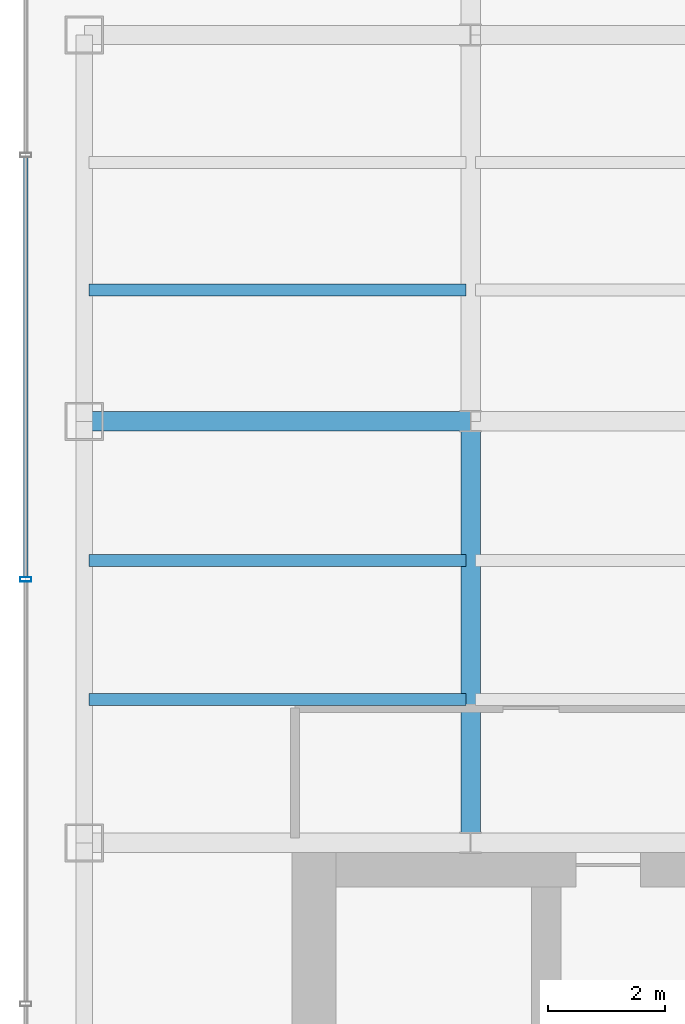
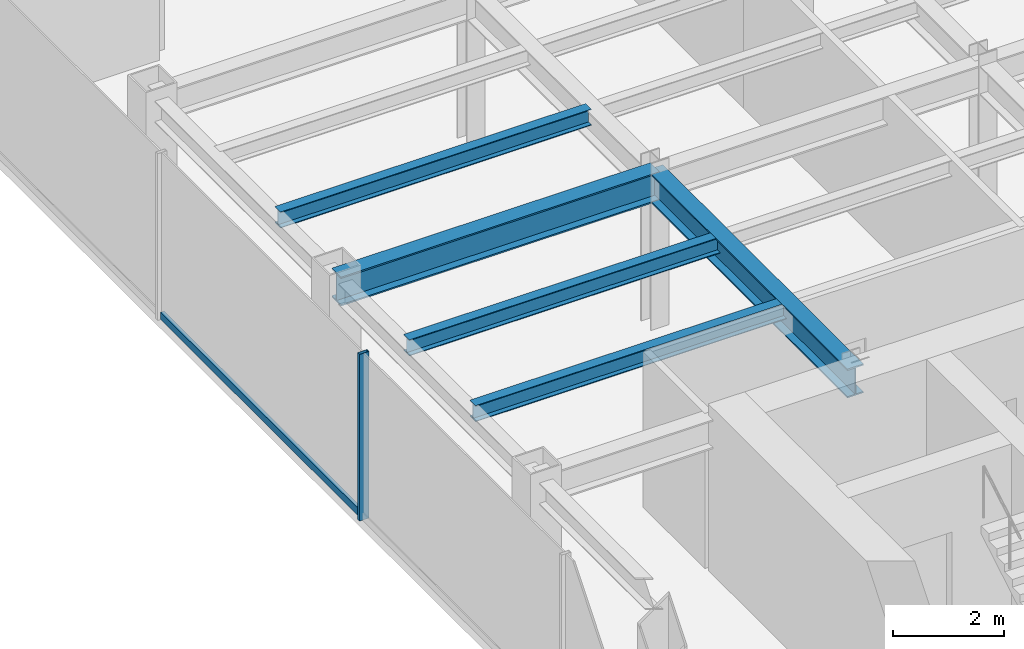
# One storey, part 5 of 25: 5 beams, 2 members, 1 element without a shape of its own.
"""IFC4 building model written with IfcOpenShell, lengths in metres."""

import ifcopenshell
import ifcopenshell.guid

model = None  # the IFC model being written
_history = None  # IfcOwnerHistory: only IFC2X3 demands one
_inside = {}  # id of a spatial element -> (the spatial element, [elements in it])
_under = {}  # id of a project, library or spatial element -> (it, [spatial elements below it])
_declared = {}  # id of a project -> (the project, [libraries it declares])
_typed = {}  # id of a type object -> (the type object, [elements of that type])
_made_of = {}  # id of a material, layer set ... -> (it, [elements and type objects made of it])


def new_model(schema):
    """Start an empty IFC model of exactly this schema.

    Asked for "IFC4X3", IfcOpenShell would pick the latest addendum, in which some entities
    have other attributes; the version numbers below select the first issue.
    IFC2X3 requires an IfcOwnerHistory on every rooted entity: one is made here for all.
    """
    global model, _history
    if schema == "IFC4X3":
        model = ifcopenshell.file(schema_version=(4, 3, 0, 0))
    else:
        model = ifcopenshell.file(schema=schema)
    _inside.clear()
    _under.clear()
    _declared.clear()
    _typed.clear()
    _made_of.clear()
    _history = None
    if model.schema == "IFC2X3":
        org = make("IfcOrganization", Name="unknown")
        user = make(
            "IfcPersonAndOrganization",
            ThePerson=make("IfcPerson", FamilyName="unknown"),
            TheOrganization=org,
        )
        app = make(
            "IfcApplication",
            ApplicationDeveloper=org,
            Version="unknown",
            ApplicationFullName="unknown",
            ApplicationIdentifier="unknown",
        )
        _history = make(
            "IfcOwnerHistory",
            OwningUser=user,
            OwningApplication=app,
            ChangeAction="ADDED",
            CreationDate=0,
        )
    return model


def make(cls, **values):
    """One entity of the class cls with the attributes given. An attribute that is None is left unset."""
    return model.create_entity(
        cls, **{name: value for name, value in values.items() if value is not None}
    )


def rooted(cls, **values):
    """An entity with a GlobalId (a new one), such as an element, a storey or a relation."""
    return make(cls, GlobalId=ifcopenshell.guid.new(), OwnerHistory=_history, **values)


def si_unit(unit_type, name, prefix=None):
    """IfcSIUnit, for example si_unit("LENGTHUNIT", "METRE", prefix="MILLI")."""
    return make("IfcSIUnit", UnitType=unit_type, Prefix=prefix, Name=name)


def derived_unit(unit_type, elements):
    """IfcDerivedUnit: a product of units, each with its exponent."""
    return make(
        "IfcDerivedUnit",
        Elements=[
            make("IfcDerivedUnitElement", Unit=unit, Exponent=power)
            for unit, power in elements
        ],
        UnitType=unit_type,
    )


def assignment(units):
    """IfcUnitAssignment: the units of a project."""
    return None if units is None else make("IfcUnitAssignment", Units=units)


def point(xyz):
    """IfcCartesianPoint."""
    return None if xyz is None else make("IfcCartesianPoint", Coordinates=xyz)


def direction(xyz):
    """IfcDirection."""
    return None if xyz is None else make("IfcDirection", DirectionRatios=xyz)


def frame(location, z_axis=None, x_axis=None):
    """IfcAxis2Placement3D, a coordinate frame: its origin and axes. An axis left out is left unset."""
    return make(
        "IfcAxis2Placement3D",
        Location=point(location),
        Axis=direction(z_axis),
        RefDirection=direction(x_axis),
    )


def frame_2d(location, x_axis=None):
    """IfcAxis2Placement2D, a coordinate frame in the plane: its origin and x axis."""
    return make(
        "IfcAxis2Placement2D", Location=point(location), RefDirection=direction(x_axis)
    )


def origin():
    """The frame at (0, 0, 0) with its axes left unset."""
    return frame((0.0, 0.0, 0.0))


def origin_2d():
    """The frame at (0, 0) in the plane with its x axis left unset."""
    return frame_2d((0.0, 0.0))


def place(relative_to, where):
    """IfcLocalPlacement: puts the frame where relative to a parent placement (None: the world)."""
    return make(
        "IfcLocalPlacement", PlacementRelTo=relative_to, RelativePlacement=where
    )


def context(
    kind, dimensions, precision=None, world=None, true_north=None, identifier=None
):
    """IfcGeometricRepresentationContext, for example the 3D "Model" context."""
    return make(
        "IfcGeometricRepresentationContext",
        ContextIdentifier=identifier,
        ContextType=kind,
        CoordinateSpaceDimension=dimensions,
        Precision=precision,
        WorldCoordinateSystem=world,
        TrueNorth=true_north,
    )


def subcontext(parent, identifier, kind, view, scale=None):
    """IfcGeometricRepresentationSubContext, for example "Body" below "Model"."""
    return make(
        "IfcGeometricRepresentationSubContext",
        ContextIdentifier=identifier,
        ContextType=kind,
        ParentContext=parent,
        TargetScale=scale,
        TargetView=view,
    )


def project(units=None, contexts=None):
    """IfcProject with its units and contexts."""
    return rooted(
        "IfcProject",
        Name="project",
        RepresentationContexts=contexts,
        UnitsInContext=assignment(units),
    )


def spatial(cls, under=None, at=None, **own):
    """A site, building, storey or space (cls), placed at a placement, below another one or the project."""
    s = rooted(cls, ObjectPlacement=at, **own)
    if under is not None:
        _under.setdefault(under.id(), (under, []))[1].append(s)
    return s


def profile(cls, at=None, kind="AREA", **sizes):
    """A parametric profile (cls). Its sizes go by their IFC names, for example OverallWidth=200.0."""
    return make(cls, ProfileType=kind, Position=at, **sizes)


def hollow_rectangle(**sizes):
    """IfcRectangleHollowProfileDef."""
    return profile("IfcRectangleHollowProfileDef", **sizes)


def i_section(**sizes):
    """IfcIShapeProfileDef."""
    return profile("IfcIShapeProfileDef", **sizes)


def extrude(swept, where, along, depth):
    """IfcExtrudedAreaSolid: the profile swept, set in the frame where, extruded along a direction by depth."""
    return make(
        "IfcExtrudedAreaSolid",
        SweptArea=swept,
        Position=where,
        ExtrudedDirection=direction(along),
        Depth=depth,
    )


def shape(context_of_items, identifier, shape_type, items):
    """IfcShapeRepresentation: the items that make up one representation, for example the "Body"."""
    return make(
        "IfcShapeRepresentation",
        ContextOfItems=context_of_items,
        RepresentationIdentifier=identifier,
        RepresentationType=shape_type,
        Items=items,
    )


def source(mapping_origin, context_of_items, identifier, shape_type, items):
    """IfcRepresentationMap: a shape defined once, which mapped items show again and again."""
    return make(
        "IfcRepresentationMap",
        MappingOrigin=mapping_origin,
        MappedRepresentation=shape(context_of_items, identifier, shape_type, items),
    )


def transform(
    local_origin,
    x_axis=None,
    y_axis=None,
    z_axis=None,
    scale=None,
    scale2=None,
    scale3=None,
    uniform=True,
):
    """IfcCartesianTransformationOperator3D, or its non-uniform kind. x_axis, y_axis, z_axis: its Axis1, 2, 3."""
    if uniform:
        return make(
            "IfcCartesianTransformationOperator3D",
            Axis1=direction(x_axis),
            Axis2=direction(y_axis),
            LocalOrigin=point(local_origin),
            Scale=scale,
            Axis3=direction(z_axis),
        )
    return make(
        "IfcCartesianTransformationOperator3DnonUniform",
        Axis1=direction(x_axis),
        Axis2=direction(y_axis),
        LocalOrigin=point(local_origin),
        Scale=scale,
        Axis3=direction(z_axis),
        Scale2=scale2,
        Scale3=scale3,
    )


def mapped(mapping_source, mapping_target):
    """IfcMappedItem: shows the shape of a source again, moved by a transform."""
    return make(
        "IfcMappedItem", MappingSource=mapping_source, MappingTarget=mapping_target
    )


def material(Name=None, Category=None):
    """IfcMaterial."""
    return make("IfcMaterial", Name=Name, Category=Category)


def material_profile(
    of_material, cross_section, Name=None, Category=None, Priority=None
):
    """IfcMaterialProfile: a cross section and its material."""
    return make(
        "IfcMaterialProfile",
        Name=Name,
        Material=of_material,
        Profile=cross_section,
        Priority=Priority,
        Category=Category,
    )


def profile_set(profiles, Name=None, composite=None):
    """IfcMaterialProfileSet."""
    return make(
        "IfcMaterialProfileSet",
        Name=Name,
        MaterialProfiles=profiles,
        CompositeProfile=composite,
    )


def made_of(thing, what):
    """Note that an element or type object is made of a material, layer set ...; save() writes the relation."""
    if what is not None:
        _made_of.setdefault(what.id(), (what, []))[1].append(thing)
    return thing


def type_object(cls, material=None, **own):
    """A type object (cls), such as IfcWallType, which elements share."""
    return made_of(rooted(cls, **own), material)


def element(
    cls,
    number,
    at=None,
    inside=None,
    cuts=None,
    type_object=None,
    material=None,
    context=None,
    identifier="Body",
    shape_type=None,
    held_by="IfcProductDefinitionShape",
    body=None,
    shapes=None,
    **own,
):
    """One element of the class cls, such as IfcWall. Its Tag is "e" and its number.

    at: its placement. inside: the storey or other place that contains it. cuts: it is an
    opening in that element (IfcRelVoidsElement). A single representation is given by context,
    identifier, shape_type and body (its items); several are given by shapes. held_by: the class
    of the entity that holds the representations. save() writes the other relations.
    """
    e = rooted(cls, Tag="e%d" % number, ObjectPlacement=at, **own)
    if body is not None:
        shapes = [shape(context, identifier, shape_type, body)]
    if shapes is not None:
        e.Representation = make(held_by, Representations=shapes)
    if inside is not None:
        _inside.setdefault(inside.id(), (inside, []))[1].append(e)
    if cuts is not None:
        rooted(
            "IfcRelVoidsElement", RelatingBuildingElement=cuts, RelatedOpeningElement=e
        )
    if type_object is not None:
        _typed.setdefault(type_object.id(), (type_object, []))[1].append(e)
    return made_of(e, material)


def aggregate(whole, parts):
    """IfcRelAggregates: a whole, such as a stair, and the parts it consists of."""
    return rooted("IfcRelAggregates", RelatingObject=whole, RelatedObjects=parts)


def save(model, path):
    """Write the relations noted so far, then the file.

    IfcRelAggregates (storeys below a building ...), IfcRelContainedInSpatialStructure (elements
    in a storey), IfcRelDefinesByType, IfcRelAssociatesMaterial and IfcRelDeclares: one each for
    every whole, place, type object, material and project.
    """
    for whole, parts in _under.values():
        aggregate(whole, parts)
    for where, things in _inside.values():
        rooted(
            "IfcRelContainedInSpatialStructure",
            RelatedElements=things,
            RelatingStructure=where,
        )
    for kind, things in _typed.values():
        rooted("IfcRelDefinesByType", RelatedObjects=things, RelatingType=kind)
    for what, things in _made_of.values():
        rooted("IfcRelAssociatesMaterial", RelatedObjects=things, RelatingMaterial=what)
    for by, libraries in _declared.values():
        rooted("IfcRelDeclares", RelatingContext=by, RelatedDefinitions=libraries)
    model.write(path)


model = new_model("IFC4")

# Units and contexts
model_context = context("Model", 3, precision=1e-05, world=origin(), true_north=direction((0.0, 1.0)))
body_context = subcontext(model_context, "Body", "Model", "MODEL_VIEW")
ifc_project = project(units=[si_unit("LENGTHUNIT", "METRE"), si_unit("AREAUNIT", "SQUARE_METRE"), si_unit("VOLUMEUNIT", "CUBIC_METRE"), si_unit("PLANEANGLEUNIT", "RADIAN"), si_unit("MASSUNIT", "GRAM", prefix="KILO"), derived_unit("THERMALTRANSMITTANCEUNIT", [(si_unit("POWERUNIT", "WATT"), 1), (si_unit("LENGTHUNIT", "METRE"), -2), (si_unit("THERMODYNAMICTEMPERATUREUNIT", "KELVIN"), -1)])], contexts=[model_context])

# Site, building, storey
site_placement = place(None, origin())
site = spatial("IfcSite", under=ifc_project, at=site_placement, CompositionType="ELEMENT")
building_placement = place(site_placement, origin())
building = spatial("IfcBuilding", under=site, at=building_placement, Name="Skarnbrae Concourse Arena and Tower", CompositionType="ELEMENT")
storey_placement = place(building_placement, frame((0.0, 0.0, 151.550048828125)))
storey = spatial("IfcBuildingStorey", under=building, at=storey_placement, Name="L38", CompositionType="ELEMENT", Elevation=151.550048828125)

# Beams
ifc_material_1 = material(Name="Steel CSA G40.21 350W", Category="steel")
ifc_material_profile_1 = material_profile(ifc_material_1, i_section(OverallWidth=0.3291015625, OverallDepth=0.635009765625, WebThickness=0.017822265625, FlangeThickness=0.031005859375, at=origin_2d()), Name="W610X241")
ifc_profile_set_1 = profile_set([ifc_material_profile_1], Name="Steel CSA G40.21 350W")
beam_type_1 = type_object("IfcBeamType", Name="BM-GIRD-W610X241", PredefinedType="BEAM", material=ifc_profile_set_1)
shared_shape_1 = source(origin(), body_context, "Body", "SweptSolid", [
    extrude(i_section(OverallWidth=0.3291015625, OverallDepth=0.635009765625, WebThickness=0.017822265625, FlangeThickness=0.031005859375, at=origin_2d()), origin(), (0.0, 0.0, 1.0), 6.60009765625),
])
beam_1_placement = place(storey_placement, frame((1.0, 21.199951171875, 3.08251953125), z_axis=(1.0, 0.0, 0.0), x_axis=(0.0, 1.0, 0.0)))
element("IfcBeam", 1, at=beam_1_placement, inside=storey, type_object=beam_type_1, Name="L38 Primary E-W girder Y21.2-1", PredefinedType="BEAM", context=body_context, shape_type="MappedRepresentation", body=[
    mapped(shared_shape_1, transform((0.0, 0.0, 0.0))),
])
shared_shape_2 = source(origin(), body_context, "Body", "SweptSolid", [
    extrude(i_section(OverallWidth=0.3291015625, OverallDepth=0.635009765625, WebThickness=0.017822265625, FlangeThickness=0.031005859375, at=origin_2d()), origin(), (0.0, 0.0, 1.0), 7.199951171875),
])
beam_2_placement = place(storey_placement, frame((7.60009765625, 14.0, 3.08251953125), z_axis=(0.0, 1.0, 0.0), x_axis=(-1.0, 0.0, 0.0)))
element("IfcBeam", 2, at=beam_2_placement, inside=storey, type_object=beam_type_1, Name="L38 Primary N-S girder X7.6-1", PredefinedType="BEAM", context=body_context, shape_type="MappedRepresentation", body=[
    mapped(shared_shape_2, transform((0.0, 0.0, 0.0))),
])
ifc_material_profile_2 = material_profile(ifc_material_1, i_section(OverallWidth=0.205078125, OverallDepth=0.35400390625, WebThickness=0.009521484375, FlangeThickness=0.016845703125, at=origin_2d()), Name="W360X79")
ifc_profile_set_2 = profile_set([ifc_material_profile_2], Name="Steel CSA G40.21 350W")
beam_type_2 = type_object("IfcBeamType", Name="BM-JOIST-W360X79", PredefinedType="JOIST", material=ifc_profile_set_2)
shared_shape_3 = source(origin(), body_context, "Body", "SweptSolid", [
    extrude(i_section(OverallWidth=0.205078125, OverallDepth=0.35400390625, WebThickness=0.009521484375, FlangeThickness=0.016845703125, at=origin_2d()), origin(), (0.0, 0.0, 1.0), 6.43994140625),
])
for number, where, z_axis, x_axis, name in (
    (3, (1.080078125, 16.447998046875, 3.222900390625), (1.0, 0.0, 0.0), (0.0, 1.0, 0.0), "L38 Secondary floor joist 1.1.1"),
    (4, (1.080078125, 18.823974609375, 3.222900390625), (1.0, 0.0, 0.0), (0.0, 1.0, 0.0), "L38 Secondary floor joist 1.2.1"),
    (5, (1.080078125, 23.444091796875, 3.222900390625), (1.0, 0.0, 0.0), (0.0, 1.0, 0.0), "L38 Secondary floor joist 2.1.1"),
):
    element("IfcBeam", number, at=place(storey_placement, frame(where, z_axis=z_axis, x_axis=x_axis)), inside=storey, type_object=beam_type_2, Name=name, PredefinedType="JOIST", context=body_context, shape_type="MappedRepresentation", body=[
        mapped(shared_shape_3, transform((0.0, 0.0, 0.0))),
    ])

# Curtain wall, members
ifc_material_2 = material(Name="Bronze anodised aluminium 6063-T6", Category="aluminium")
curtain_wall_type = type_object("IfcCurtainWallType", Name="CW-SYS-04-MIDZONE", PredefinedType="USERDEFINED", material=ifc_material_2)
curtain_wall_placement = place(storey_placement, origin())
curtain_wall = element("IfcCurtainWall", 6, at=curtain_wall_placement, inside=storey, type_object=curtain_wall_type, Name="L38 Unitised curtain wall CW-L38-E18", ObjectType="UNITISED CURTAIN WALL", PredefinedType="USERDEFINED")
ifc_material_profile_3 = material_profile(ifc_material_2, hollow_rectangle(XDim=0.074951171875, YDim=0.195068359375, WallThickness=0.00439453125, at=origin_2d()), Name="ALU-MULL-75X195")
ifc_profile_set_3 = profile_set([ifc_material_profile_3], Name="Bronze anodised aluminium 6063-T6")
member_type_1 = type_object("IfcMemberType", Name="CWM-CW-04", PredefinedType="MULLION", material=ifc_profile_set_3)
shared_shape_4 = source(origin(), body_context, "Body", "SweptSolid", [
    extrude(hollow_rectangle(XDim=0.074951171875, YDim=0.195068359375, WallThickness=0.00439453125, at=origin_2d()), origin(), (0.0, 0.0, 1.0), 3.64990234375),
])
member_1_placement = place(storey_placement, frame((0.0, 18.5, 0.0), z_axis=(0.0, 0.0, 1.0), x_axis=(0.0, -1.0, 0.0)))
member_1 = element("IfcMember", 7, at=member_1_placement, type_object=member_type_1, Name="CW-L38-E18 Mullion 3", PredefinedType="MULLION", context=body_context, shape_type="MappedRepresentation", body=[
    mapped(shared_shape_4, transform((0.0, 0.0, 0.0))),
])
ifc_material_profile_4 = material_profile(ifc_material_2, hollow_rectangle(XDim=0.074951171875, YDim=0.159912109375, WallThickness=0.00439453125, at=origin_2d()), Name="ALU-TRAN-75X160")
ifc_profile_set_4 = profile_set([ifc_material_profile_4], Name="Bronze anodised aluminium 6063-T6")
member_type_2 = type_object("IfcMemberType", Name="CWT-CW-04", PredefinedType="USERDEFINED", material=ifc_profile_set_4)
shared_shape_5 = source(origin(), body_context, "Body", "SweptSolid", [
    extrude(hollow_rectangle(XDim=0.074951171875, YDim=0.159912109375, WallThickness=0.00439453125, at=origin_2d()), origin(), (0.0, 0.0, 1.0), 7.1748046875),
])
member_2_placement = place(storey_placement, frame((0.0, 25.71240234375, 0.079833984375), z_axis=(0.0, -1.0, 0.0), x_axis=(1.0, 0.0, 0.0)))
member_2 = element("IfcMember", 8, at=member_2_placement, type_object=member_type_2, Name="CW-L38-E18 Transom 2", ObjectType="TRANSOM", PredefinedType="USERDEFINED", context=body_context, shape_type="MappedRepresentation", body=[
    mapped(shared_shape_5, transform((0.0, 0.0, 0.0))),
])
aggregate(curtain_wall, [member_1, member_2])

save(model, "model.ifc")
